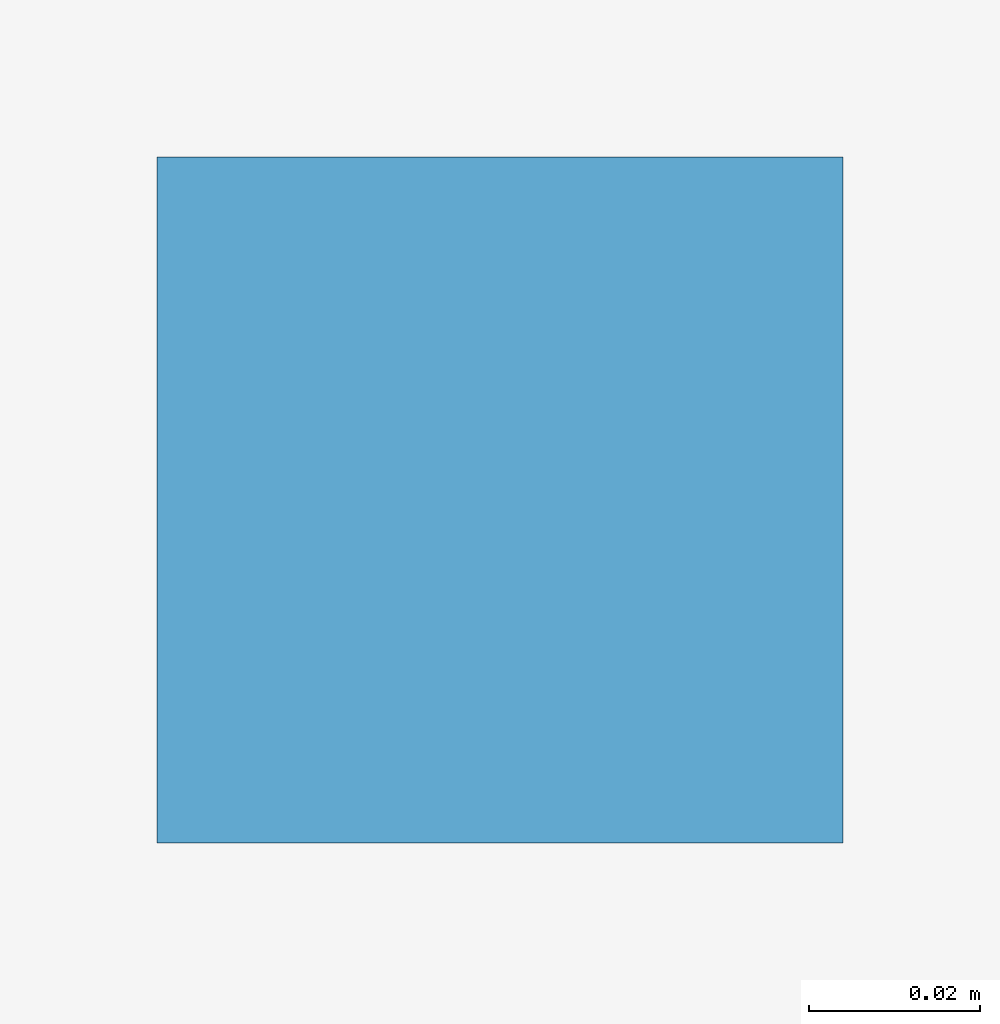
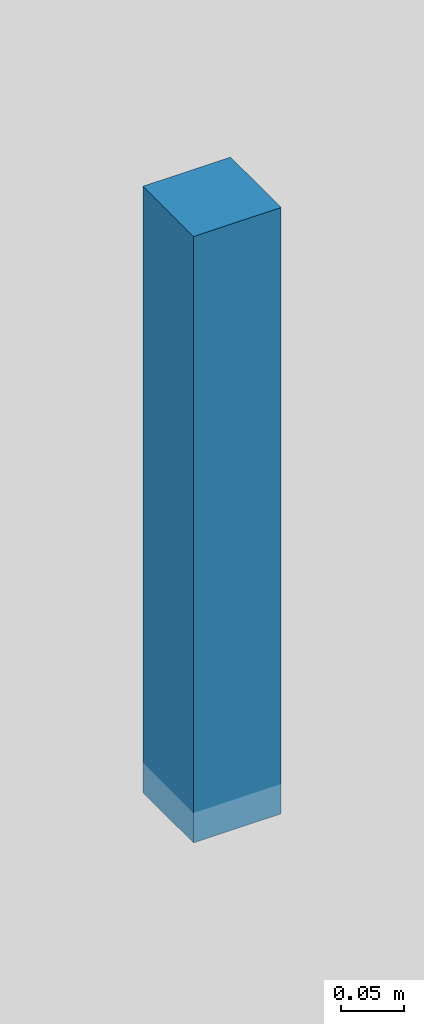
# One storey, part 10 of 14: 1 discrete accessory.
"""IFC4 building model written with IfcOpenShell, lengths in metres."""

from ifc_helpers import new_model, si_unit, direction, frame, origin, origin_2d, place, context, subcontext, project, spatial, rectangle, extrude, source, transform, mapped, material, type_object, element, save


model = new_model("IFC4")

# Units and contexts
model_context = context("Model", 3, precision=1e-05, world=origin(), true_north=direction((0.0, 1.0)))
body_context = subcontext(model_context, "Body", "Model", "MODEL_VIEW")
ifc_project = project(units=[si_unit("LENGTHUNIT", "METRE"), si_unit("AREAUNIT", "SQUARE_METRE"), si_unit("VOLUMEUNIT", "CUBIC_METRE"), si_unit("PLANEANGLEUNIT", "RADIAN"), si_unit("MASSUNIT", "GRAM", prefix="KILO")], contexts=[model_context])

# Site, building, storey
site_placement = place(None, origin())
site = spatial("IfcSite", under=ifc_project, at=site_placement, CompositionType="ELEMENT")
building_placement = place(site_placement, origin())
building = spatial("IfcBuilding", under=site, at=building_placement, Name="Giltprow Tower", CompositionType="ELEMENT")
storey_placement = place(building_placement, frame((0.0, 0.0, 321.0)))
storey = spatial("IfcBuildingStorey", under=building, at=storey_placement, Name="L83", CompositionType="ELEMENT", Elevation=321.0)

# Discrete accessory
ifc_material = material(Name="Structural steel Q355B", Category="steel")
discrete_accessory_type = type_object("IfcDiscreteAccessoryType", Name="ACC-CLG-HANGER", PredefinedType="BRACKET", material=ifc_material)
shared_shape = source(origin(), body_context, "Body", "SweptSolid", [
    extrude(rectangle(XDim=0.080078125, YDim=0.080078125, at=origin_2d()), origin(), (0.0, 0.0, 1.0), 0.5849609375),
])
discrete_accessory_placement = place(storey_placement, frame((35.0, 35.625, 2.62060546875), z_axis=(0.0, 0.0, 1.0), x_axis=(1.0, 0.0, 0.0)))
element("IfcDiscreteAccessory", 1, at=discrete_accessory_placement, inside=storey, type_object=discrete_accessory_type, Name="L83 Residence Gallery Ceiling Suspension Hanger", PredefinedType="BRACKET", context=body_context, shape_type="MappedRepresentation", body=[
    mapped(shared_shape, transform((0.0, 0.0, 0.0), x_axis=(1.0, 0.0, 0.0), y_axis=(0.0, 1.0, 0.0), z_axis=(0.0, 0.0, 1.0), scale=1.0)),
])

save(model, "model.ifc")
